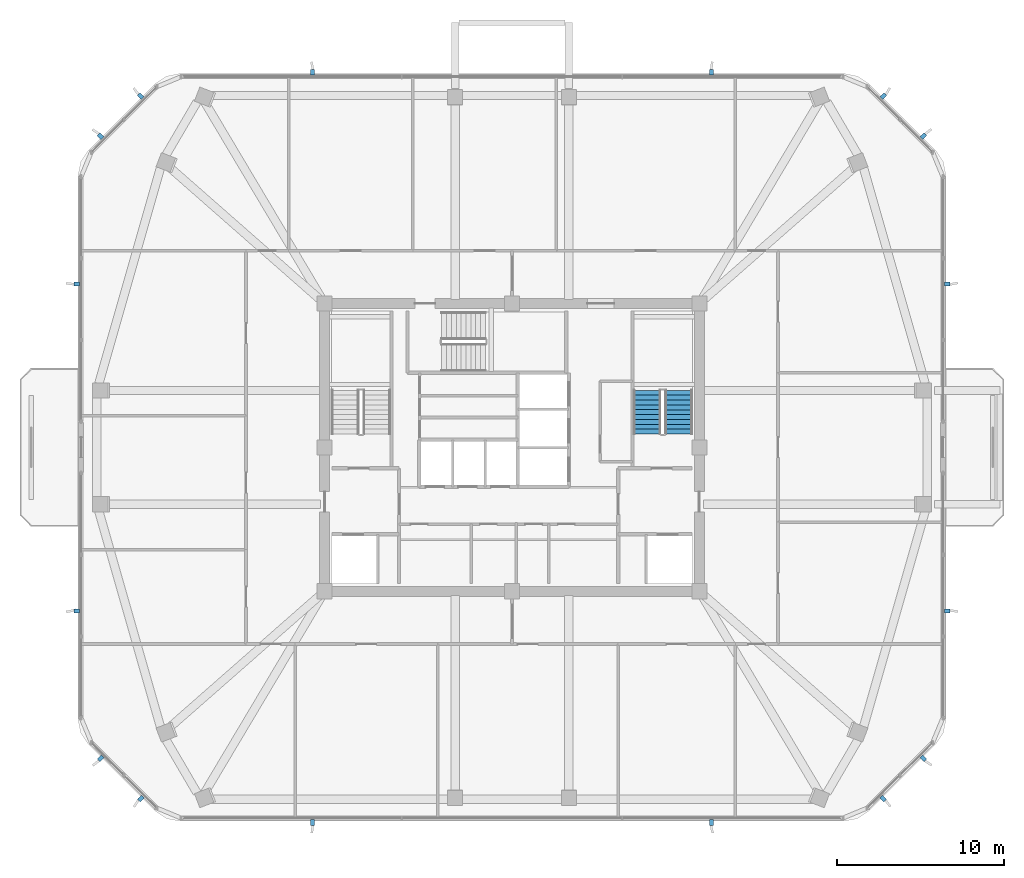
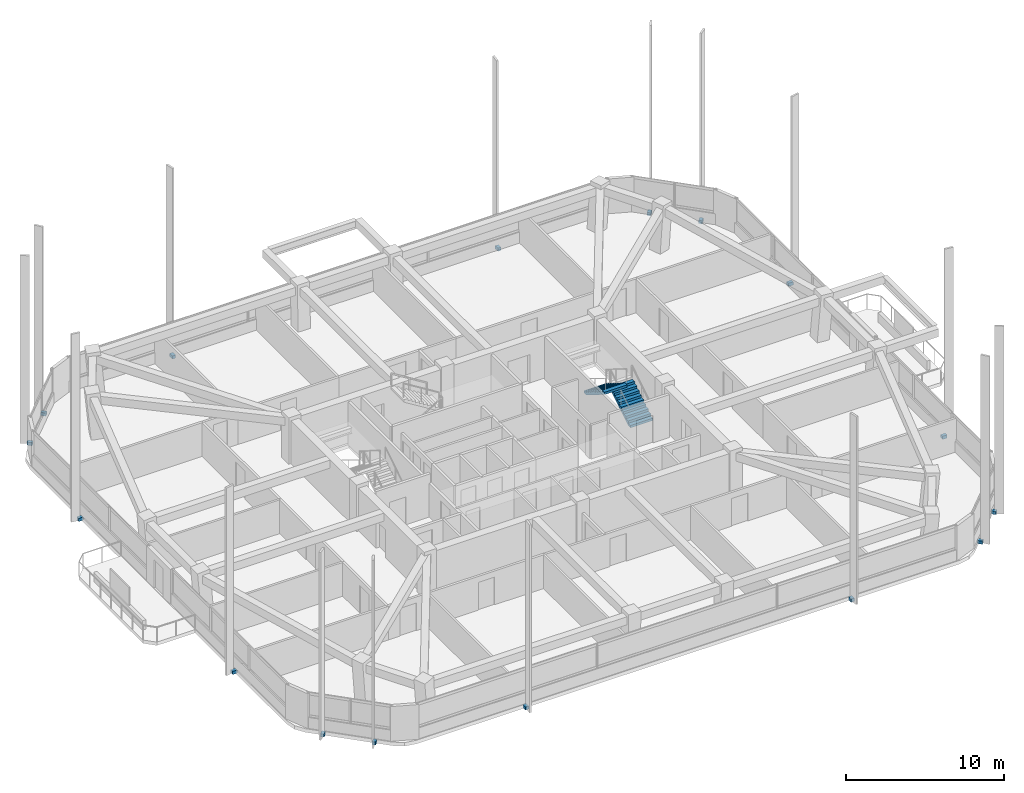
# One storey, part 13 of 17: 16 discrete accessories, 2 stair flights, 1 element without a shape of its own.
"""IFC4 building model written with IfcOpenShell, lengths in metres."""

from ifc_helpers import new_model, si_unit, derived_unit, direction, frame, origin, origin_2d, place, context, subcontext, project, spatial, polyline, rectangle, outline, extrude, material, type_object, element, aggregate, save


model = new_model("IFC4")

# Units and contexts
model_context = context("Model", 3, precision=1e-05, world=origin(), true_north=direction((0.0, 1.0)))
body_context = subcontext(model_context, "Body", "Model", "MODEL_VIEW")
ifc_project = project(units=[si_unit("LENGTHUNIT", "METRE"), si_unit("AREAUNIT", "SQUARE_METRE"), si_unit("VOLUMEUNIT", "CUBIC_METRE"), si_unit("PLANEANGLEUNIT", "RADIAN"), si_unit("MASSUNIT", "GRAM", prefix="KILO"), derived_unit("THERMALTRANSMITTANCEUNIT", [(si_unit("POWERUNIT", "WATT"), 1), (si_unit("LENGTHUNIT", "METRE"), -2), (si_unit("THERMODYNAMICTEMPERATUREUNIT", "KELVIN"), -1)])], contexts=[model_context])

# Site, building, storey
site_placement = place(None, origin())
site = spatial("IfcSite", under=ifc_project, at=site_placement, CompositionType="ELEMENT")
building_placement = place(site_placement, origin())
building = spatial("IfcBuilding", under=site, at=building_placement, Name="Koralith Skygarden Medical Center", CompositionType="ELEMENT")
storey_placement = place(building_placement, frame((0.0, 0.0, 207.179931640625)))
storey = spatial("IfcBuildingStorey", under=building, at=storey_placement, Name="L53", CompositionType="ELEMENT", Elevation=207.179931640625)

# Stair, stair flights
ifc_material_1 = material(Name="Concrete C45/55", Category="concrete")
stair_type = type_object("IfcStairType", Name="Core Exit Dogleg Concrete Stair", PredefinedType="HALF_TURN_STAIR", material=ifc_material_1)
stair_placement = place(storey_placement, origin())
stair = element("IfcStair", 1, at=stair_placement, inside=storey, type_object=stair_type, Name="L53 Smokeproof Exit Stair ST2", PredefinedType="HALF_TURN_STAIR")
stair_flight_type = type_object("IfcStairFlightType", Name="Core Exit Concrete Stair Flight 1650", PredefinedType="STRAIGHT", material=ifc_material_1)
stair_flight_1_placement = place(storey_placement, frame((46.97509765625, 26.699951171875, 0.0), z_axis=(0.0, 0.0, 1.0), x_axis=(0.0, 1.0, 0.0)))
stair_flight_1 = element("IfcStairFlight", 2, at=stair_flight_1_placement, type_object=stair_flight_type, Name="ST2 flight 1", NumberOfRisers=10, NumberOfTreads=9, PredefinedType="STRAIGHT", RiserHeight=0.18, TreadLength=0.29, context=body_context, shape_type="SweptSolid", body=[
    extrude(outline(polyline([(0.0, 0.0), (0.0, 0.179931640625), (0.2900390625, 0.179931640625), (0.2900390625, 0.360107421875), (0.580078125, 0.360107421875), (0.580078125, 0.5400390625), (0.8701171875, 0.5400390625), (0.8701171875, 0.719970703125), (1.159912109375, 0.719970703125), (1.159912109375, 0.89990234375), (1.449951171875, 0.89990234375), (1.449951171875, 1.080078125), (1.739990234375, 1.080078125), (1.739990234375, 1.260009765625), (2.030029296875, 1.260009765625), (2.030029296875, 1.43994140625), (2.320068359375, 1.43994140625), (2.320068359375, 1.6201171875), (2.610107421875, 1.6201171875), (2.610107421875, 1.800048828125), (2.610107421875, 1.443603515625), (0.2841796875, 0.0), (0.0, 0.0)])), frame((0.0, 0.824951171875, 0.0), z_axis=(0.0, -1.0, 0.0), x_axis=(1.0, 0.0, 0.0)), (0.0, 0.0, 1.0), 1.64990234375),
])
stair_flight_2_placement = place(storey_placement, frame((45.074951171875, 29.31005859375, 1.800048828125), z_axis=(0.0, 0.0, 1.0), x_axis=(0.0, -1.0, 0.0)))
stair_flight_2 = element("IfcStairFlight", 3, at=stair_flight_2_placement, type_object=stair_flight_type, Name="ST2 flight 2", NumberOfRisers=10, NumberOfTreads=9, PredefinedType="STRAIGHT", RiserHeight=0.18, TreadLength=0.29, context=body_context, shape_type="SweptSolid", body=[
    extrude(outline(polyline([(0.0, 0.0), (0.0, 0.179931640625), (0.2900390625, 0.179931640625), (0.2900390625, 0.360107421875), (0.580078125, 0.360107421875), (0.580078125, 0.5400390625), (0.8701171875, 0.5400390625), (0.8701171875, 0.719970703125), (1.159912109375, 0.719970703125), (1.159912109375, 0.89990234375), (1.449951171875, 0.89990234375), (1.449951171875, 1.080078125), (1.739990234375, 1.080078125), (1.739990234375, 1.260009765625), (2.030029296875, 1.260009765625), (2.030029296875, 1.43994140625), (2.320068359375, 1.43994140625), (2.320068359375, 1.6201171875), (2.610107421875, 1.6201171875), (2.610107421875, 1.800048828125), (2.610107421875, 1.443603515625), (0.2841796875, 0.0), (0.0, 0.0)])), frame((0.0, 0.824951171875, 0.0), z_axis=(0.0, -1.0, 0.0), x_axis=(1.0, 0.0, 0.0)), (0.0, 0.0, 1.0), 1.64990234375),
])
aggregate(stair, [stair_flight_1, stair_flight_2])

# Discrete accessories
ifc_material_2 = material(Name="Steel ASTM A572 Grade 50", Category="steel")
discrete_accessory_type = type_object("IfcDiscreteAccessoryType", Name="Facade Fin Structural Anchor Bracket", PredefinedType="BRACKET", material=ifc_material_2)
for number, where, z_axis, x_axis, name in (
    (4, (25.070068359375, 3.48291015625, -0.259765625), (0.0, 0.0, 1.0), (0.0, -1.0, 0.0), "L53 S Solar Fin Anchor Bracket 1"),
    (5, (48.928955078125, 3.48291015625, -0.259765625), (0.0, 0.0, 1.0), (0.0, -1.0, 0.0), "L53 S Solar Fin Anchor Bracket 2"),
    (6, (59.19091796875, 4.906982421875, -0.259765625), (0.0, 0.0, 1.0), (0.707106781187, -0.707106781187, 0.0), "L53 SE Solar Fin Anchor Bracket 1"),
    (7, (61.589111328125, 7.304931640625, -0.259765625), (0.0, 0.0, 1.0), (0.707106781187, -0.707106781187, 0.0), "L53 SE Solar Fin Anchor Bracket 2"),
    (8, (63.012939453125, 16.1279296875, -0.259765625), (0.0, 0.0, 1.0), (1.0, 0.0, 0.0), "L53 E Solar Fin Anchor Bracket 1"),
    (9, (63.012939453125, 35.672119140625, -0.259765625), (0.0, 0.0, 1.0), (1.0, 0.0, 0.0), "L53 E Solar Fin Anchor Bracket 2"),
    (10, (61.587890625, 44.4951171875, -0.259765625), (0.0, 0.0, 1.0), (0.707106781187, 0.707106781187, 0.0), "L53 NE Solar Fin Anchor Bracket 1"),
    (11, (59.18994140625, 46.89306640625, -0.259765625), (0.0, 0.0, 1.0), (0.707106781187, 0.707106781187, 0.0), "L53 NE Solar Fin Anchor Bracket 2"),
    (12, (48.929931640625, 48.31689453125, -0.259765625), (0.0, 0.0, 1.0), (0.0, 1.0, 0.0), "L53 N Solar Fin Anchor Bracket 1"),
    (13, (25.071044921875, 48.31689453125, -0.259765625), (0.0, 0.0, 1.0), (0.0, 1.0, 0.0), "L53 N Solar Fin Anchor Bracket 2"),
    (14, (14.80908203125, 46.89306640625, -0.259765625), (0.0, 0.0, 1.0), (-0.707106781187, 0.707106781187, 0.0), "L53 NW Solar Fin Anchor Bracket 1"),
    (15, (12.410888671875, 44.4951171875, -0.259765625), (0.0, 0.0, 1.0), (-0.707106781187, 0.707106781187, 0.0), "L53 NW Solar Fin Anchor Bracket 2"),
    (16, (10.987060546875, 35.672119140625, -0.259765625), (0.0, 0.0, 1.0), (-1.0, 0.0, 0.0), "L53 W Solar Fin Anchor Bracket 1"),
    (17, (10.987060546875, 16.1279296875, -0.259765625), (0.0, 0.0, 1.0), (-1.0, 0.0, 0.0), "L53 W Solar Fin Anchor Bracket 2"),
    (18, (12.412109375, 7.304931640625, -0.259765625), (0.0, 0.0, 1.0), (-0.707106781187, -0.707106781187, 0.0), "L53 SW Solar Fin Anchor Bracket 1"),
    (19, (14.81005859375, 4.906982421875, -0.259765625), (0.0, 0.0, 1.0), (-0.707106781187, -0.707106781187, 0.0), "L53 SW Solar Fin Anchor Bracket 2"),
):
    element("IfcDiscreteAccessory", number, at=place(storey_placement, frame(where, z_axis=z_axis, x_axis=x_axis)), inside=storey, type_object=discrete_accessory_type, Name=name, PredefinedType="BRACKET", context=body_context, shape_type="SweptSolid", body=[
        extrude(rectangle(XDim=0.340087890625, YDim=0.239990234375, at=origin_2d()), origin(), (0.0, 0.0, 1.0), 0.239990234375),
    ])

save(model, "model.ifc")
